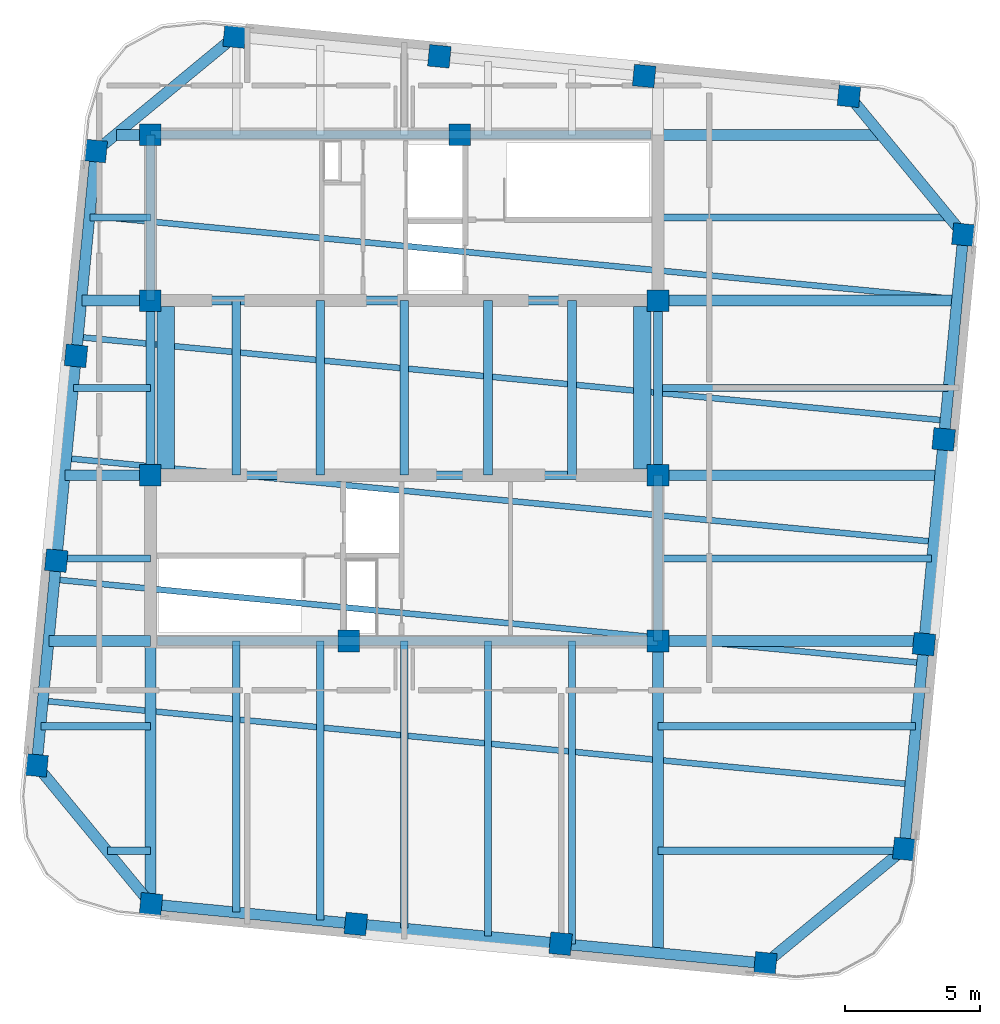
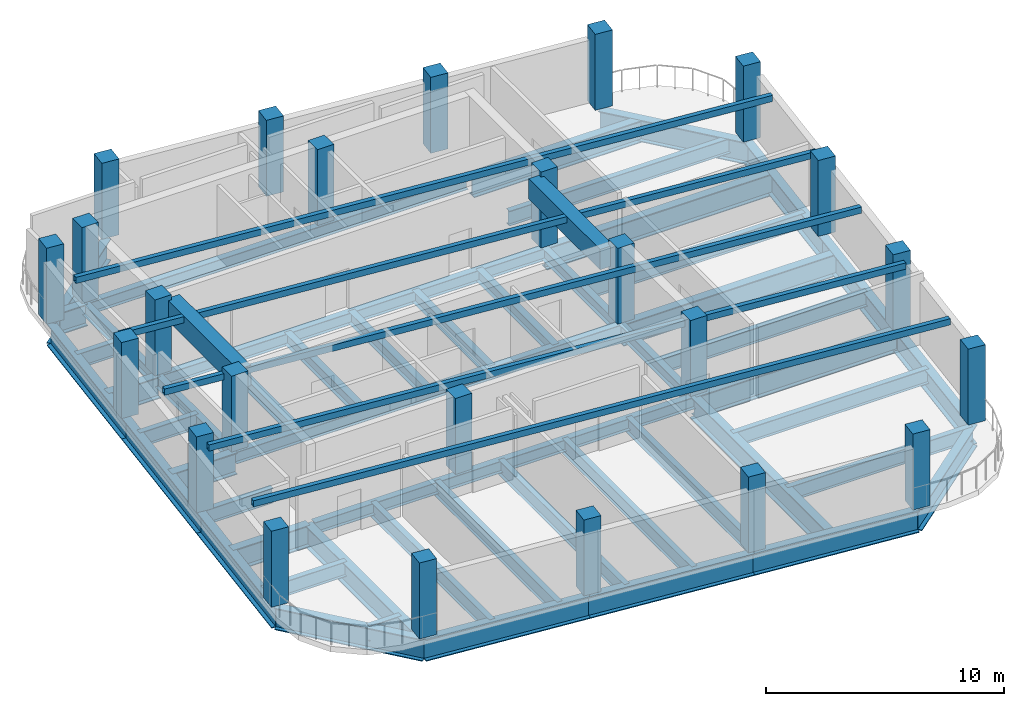
# One storey, part 1 of 5: 53 beams, 24 columns, 5 members.
"""IFC4 building model written with IfcOpenShell, lengths in metres."""

from ifc_helpers import new_model, si_unit, direction, frame, origin, origin_2d, place, context, subcontext, project, spatial, rectangle, hollow_rectangle, i_section, extrude, material, material_profile, profile_set, type_object, element, save


model = new_model("IFC4")

# Units and contexts
model_context = context("Model", 3, precision=1e-05, world=origin(), true_north=direction((0.0, 1.0)))
body_context = subcontext(model_context, "Body", "Model", "MODEL_VIEW")
ifc_project = project(units=[si_unit("LENGTHUNIT", "METRE"), si_unit("AREAUNIT", "SQUARE_METRE"), si_unit("VOLUMEUNIT", "CUBIC_METRE"), si_unit("PLANEANGLEUNIT", "RADIAN"), si_unit("MASSUNIT", "GRAM", prefix="KILO")], contexts=[model_context])

# Site, building, storey
site_placement = place(None, origin())
site = spatial("IfcSite", under=ifc_project, at=site_placement, CompositionType="ELEMENT")
building_placement = place(site_placement, origin())
building = spatial("IfcBuilding", under=site, at=building_placement, Name="Qhalaya Broadcast Tower", CompositionType="ELEMENT")
storey_placement = place(building_placement, frame((0.0, 0.0, 292.85009765625)))
storey = spatial("IfcBuildingStorey", under=building, at=storey_placement, Name="L86", CompositionType="ELEMENT", Elevation=292.85009765625)

# Columns
ifc_material_1 = material(Name="Concrete C50/60", Category="concrete")
ifc_material_profile_1 = material_profile(ifc_material_1, rectangle(XDim=0.800048828125, YDim=0.800048828125, at=origin_2d()), Name="RC-COL 800x800")
ifc_profile_set_1 = profile_set([ifc_material_profile_1], Name="Concrete C50/60")
column_type = type_object("IfcColumnType", Name="RC Upper Column C10", PredefinedType="COLUMN", material=ifc_profile_set_1)
for number, where, z_axis, x_axis, name in (
    (1, (-9.3505859375, -18.47314453125, 0.0), (0.0, 0.0, 1.0), (0.995396198367, -0.09584575252, 0.0), "L86 Column COL-CR01"),
    (2, (-1.78564453125, -19.20166015625, 0.0), (0.0, 0.0, 1.0), (0.995396198367, -0.09584575252, 0.0), "L86 Column COL-CR02"),
    (3, (5.779296875, -19.93017578125, 0.0), (0.0, 0.0, 1.0), (0.995396198367, -0.09584575252, 0.0), "L86 Column COL-CR03"),
    (4, (13.344482421875, -20.658447265625, 0.0), (0.0, 0.0, 1.0), (0.995396198367, -0.09584575252, 0.0), "L86 Column COL-CR04"),
    (5, (18.47314453125, -16.4306640625, 0.0), (0.0, 0.0, 1.0), (0.09584575252, 0.995396198367, 0.0), "L86 Column COL-CR05"),
    (6, (19.20166015625, -8.865478515625, 0.0), (0.0, 0.0, 1.0), (0.09584575252, 0.995396198367, 0.0), "L86 Column COL-CR06"),
    (7, (19.93017578125, -1.300537109375, 0.0), (0.0, 0.0, 1.0), (0.09584575252, 0.995396198367, 0.0), "L86 Column COL-CR07"),
    (8, (20.658447265625, 6.264404296875, 0.0), (0.0, 0.0, 1.0), (0.09584575252, 0.995396198367, 0.0), "L86 Column COL-CR08"),
    (9, (16.4306640625, 11.393310546875, 0.0), (0.0, 0.0, 1.0), (0.995396198367, -0.09584575252, 0.0), "L86 Column COL-CR09"),
    (10, (8.865478515625, 12.12158203125, 0.0), (0.0, 0.0, 1.0), (0.995396198367, -0.09584575252, 0.0), "L86 Column COL-CR10"),
    (11, (1.300537109375, 12.85009765625, 0.0), (0.0, 0.0, 1.0), (0.995396198367, -0.09584575252, 0.0), "L86 Column COL-CR11"),
    (12, (-6.264404296875, 13.57861328125, 0.0), (0.0, 0.0, 1.0), (0.995396198367, -0.09584575252, 0.0), "L86 Column COL-CR12"),
    (13, (-11.393310546875, 9.3505859375, 0.0), (0.0, 0.0, 1.0), (0.09584575252, 0.995396198367, 0.0), "L86 Column COL-CR13"),
    (14, (-12.12158203125, 1.78564453125, 0.0), (0.0, 0.0, 1.0), (0.09584575252, 0.995396198367, 0.0), "L86 Column COL-CR14"),
    (15, (-12.85009765625, -5.779296875, 0.0), (0.0, 0.0, 1.0), (0.09584575252, 0.995396198367, 0.0), "L86 Column COL-CR15"),
    (16, (-13.57861328125, -13.344482421875, 0.0), (0.0, 0.0, 1.0), (0.09584575252, 0.995396198367, 0.0), "L86 Column COL-CR16"),
    (17, (-9.375, 9.949951171875, 0.0), (0.0, 0.0, 1.0), (1.0, 0.0, 0.0), "L86 Column COL-CC1"),
    (18, (2.050048828125, 9.949951171875, 0.0), (0.0, 0.0, 1.0), (1.0, 0.0, 0.0), "L86 Column COL-CC2"),
    (19, (-9.375, 3.824951171875, 0.0), (0.0, 0.0, 1.0), (1.0, 0.0, 0.0), "L86 Column COL-CC3"),
    (20, (9.375, 3.824951171875, 0.0), (0.0, 0.0, 1.0), (1.0, 0.0, 0.0), "L86 Column COL-CC4"),
    (21, (-9.375, -2.625, 0.0), (0.0, 0.0, 1.0), (1.0, 0.0, 0.0), "L86 Column COL-CC5"),
    (22, (9.375, -2.625, 0.0), (0.0, 0.0, 1.0), (1.0, 0.0, 0.0), "L86 Column COL-CC6"),
    (23, (-2.050048828125, -8.75, 0.0), (0.0, 0.0, 1.0), (1.0, 0.0, 0.0), "L86 Column COL-CC7"),
    (24, (9.375, -8.75, 0.0), (0.0, 0.0, 1.0), (1.0, 0.0, 0.0), "L86 Column COL-CC8"),
):
    element("IfcColumn", number, at=place(storey_placement, frame(where, z_axis=z_axis, x_axis=x_axis)), inside=storey, type_object=column_type, Name=name, PredefinedType="COLUMN", context=body_context, shape_type="SweptSolid", body=[
        extrude(rectangle(XDim=0.800048828125, YDim=0.800048828125, at=origin_2d()), origin(), (0.0, 0.0, 1.0), 3.89990234375),
    ])

# Members
ifc_material_2 = material(Name="Structural Steel ASTM A572 Grade 50", Category="steel")
ifc_material_profile_2 = material_profile(ifc_material_2, hollow_rectangle(XDim=0.219970703125, YDim=0.320068359375, WallThickness=0.01611328125, at=origin_2d()), Name="HSS 220x320x16")
ifc_profile_set_2 = profile_set([ifc_material_profile_2], Name="Structural Steel ASTM A572 Grade 50")
member_type = type_object("IfcMemberType", Name="Concourse & Lookout Canopy Purlin PR1", PredefinedType="PURLIN", material=ifc_profile_set_2)
for number, where, z_axis, x_axis, name in (
    (25, (-13.348388671875, -10.955322265625, 3.474853515625), (0.995395627913, -0.095851676732, 0.0), (0.095851676732, 0.995395627913, 0.0), "Crown Canopy Roof Purlin PR-01"),
    (26, (-12.917236328125, -6.476318359375, 3.474853515625), (0.995396351286, -0.095844164381, 0.0), (0.095844164381, 0.995396351286, 0.0), "Crown Canopy Roof Purlin PR-02"),
    (27, (-12.48583984375, -1.996826171875, 3.474853515625), (0.995396351286, -0.095844164381, 0.0), (0.095844164381, 0.995396351286, 0.0), "Crown Canopy Roof Purlin PR-03"),
):
    element("IfcMember", number, at=place(storey_placement, frame(where, z_axis=z_axis, x_axis=x_axis)), inside=storey, type_object=member_type, Name=name, PredefinedType="PURLIN", context=body_context, shape_type="SweptSolid", body=[
        extrude(hollow_rectangle(XDim=0.219970703125, YDim=0.320068359375, WallThickness=0.01611328125, at=origin_2d()), origin(), (0.0, 0.0, 1.0), 32.199951171875),
    ])
member_1_placement = place(storey_placement, frame((-12.0546875, 2.482421875, 3.474853515625), z_axis=(0.995396420935, -0.095843441041, 0.0), x_axis=(0.095843441041, 0.995396420935, 0.0)))
element("IfcMember", 28, at=member_1_placement, inside=storey, type_object=member_type, Name="Crown Canopy Roof Purlin PR-04", PredefinedType="PURLIN", context=body_context, shape_type="SweptSolid", body=[
    extrude(hollow_rectangle(XDim=0.219970703125, YDim=0.320068359375, WallThickness=0.01611328125, at=origin_2d()), origin(), (0.0, 0.0, 1.0), 32.2001953125),
])
member_2_placement = place(storey_placement, frame((-11.623291015625, 6.961669921875, 3.474853515625), z_axis=(0.995396351286, -0.095844164381, 0.0), x_axis=(0.095844164381, 0.995396351286, 0.0)))
element("IfcMember", 29, at=member_2_placement, inside=storey, type_object=member_type, Name="Crown Canopy Roof Purlin PR-05", PredefinedType="PURLIN", context=body_context, shape_type="SweptSolid", body=[
    extrude(hollow_rectangle(XDim=0.219970703125, YDim=0.320068359375, WallThickness=0.01611328125, at=origin_2d()), origin(), (0.0, 0.0, 1.0), 32.199951171875),
])

# Beams
ifc_material_3 = material(Name="Structural Steel ASTM A992 Grade 50", Category="steel")
ifc_material_profile_3 = material_profile(ifc_material_3, i_section(OverallWidth=0.323974609375, OverallDepth=0.612060546875, WebThickness=0.0126953125, FlangeThickness=0.01904296875, at=origin_2d()), Name="W24X104")
ifc_profile_set_3 = profile_set([ifc_material_profile_3], Name="Structural Steel ASTM A992 Grade 50")
beam_type_1 = type_object("IfcBeamType", Name="Core Frame Tie Beam B04", PredefinedType="BEAM", material=ifc_profile_set_3)
beam_1_placement = place(storey_placement, frame((-9.375, 3.824951171875, -0.586181640625), z_axis=(1.0, 0.0, 0.0), x_axis=(0.0, 1.0, 0.0)))
element("IfcBeam", 30, at=beam_1_placement, inside=storey, type_object=beam_type_1, Name="L86 B04 L86-CCN1", PredefinedType="BEAM", context=body_context, shape_type="SweptSolid", body=[
    extrude(i_section(OverallWidth=0.323974609375, OverallDepth=0.612060546875, WebThickness=0.0126953125, FlangeThickness=0.01904296875, at=origin_2d()), origin(), (0.0, 0.0, 1.0), 18.75),
])
beam_2_placement = place(storey_placement, frame((-9.375, 3.824951171875, -0.586181640625), z_axis=(0.0, 1.0, 0.0), x_axis=(-1.0, 0.0, 0.0)))
element("IfcBeam", 31, at=beam_2_placement, inside=storey, type_object=beam_type_1, Name="L86 B04 L86-CCN2", PredefinedType="BEAM", context=body_context, shape_type="SweptSolid", body=[
    extrude(i_section(OverallWidth=0.323974609375, OverallDepth=0.612060546875, WebThickness=0.0126953125, FlangeThickness=0.01904296875, at=origin_2d()), origin(), (0.0, 0.0, 1.0), 6.125),
])
beam_3_placement = place(storey_placement, frame((-9.375, 9.949951171875, -0.586181640625), z_axis=(1.0, 0.0, 0.0), x_axis=(0.0, 1.0, 0.0)))
element("IfcBeam", 32, at=beam_3_placement, inside=storey, type_object=beam_type_1, Name="L86 B04 L86-CCN3", PredefinedType="BEAM", context=body_context, shape_type="SweptSolid", body=[
    extrude(i_section(OverallWidth=0.323974609375, OverallDepth=0.612060546875, WebThickness=0.0126953125, FlangeThickness=0.01904296875, at=origin_2d()), origin(), (0.0, 0.0, 1.0), 18.4951171875),
])
beam_4_placement = place(storey_placement, frame((-9.375, -2.625, -0.586181640625), z_axis=(1.0, 0.0, 0.0), x_axis=(0.0, 1.0, 0.0)))
element("IfcBeam", 33, at=beam_4_placement, inside=storey, type_object=beam_type_1, Name="L86 B04 L86-CCS1", PredefinedType="BEAM", context=body_context, shape_type="SweptSolid", body=[
    extrude(i_section(OverallWidth=0.323974609375, OverallDepth=0.612060546875, WebThickness=0.0126953125, FlangeThickness=0.01904296875, at=origin_2d()), origin(), (0.0, 0.0, 1.0), 18.75),
])
beam_5_placement = place(storey_placement, frame((9.375, -8.75, -0.586181640625), z_axis=(0.0, 1.0, 0.0), x_axis=(-1.0, 0.0, 0.0)))
element("IfcBeam", 34, at=beam_5_placement, inside=storey, type_object=beam_type_1, Name="L86 B04 L86-CCS2", PredefinedType="BEAM", context=body_context, shape_type="SweptSolid", body=[
    extrude(i_section(OverallWidth=0.323974609375, OverallDepth=0.612060546875, WebThickness=0.0126953125, FlangeThickness=0.01904296875, at=origin_2d()), origin(), (0.0, 0.0, 1.0), 6.125),
])
beam_6_placement = place(storey_placement, frame((-9.1201171875, -8.75, -0.586181640625), z_axis=(1.0, 0.0, 0.0), x_axis=(0.0, 1.0, 0.0)))
element("IfcBeam", 35, at=beam_6_placement, inside=storey, type_object=beam_type_1, Name="L86 B04 L86-CCS3", PredefinedType="BEAM", context=body_context, shape_type="SweptSolid", body=[
    extrude(i_section(OverallWidth=0.323974609375, OverallDepth=0.612060546875, WebThickness=0.0126953125, FlangeThickness=0.01904296875, at=origin_2d()), origin(), (0.0, 0.0, 1.0), 18.4951171875),
])
for number, where, z_axis, x_axis, name in (
    (36, (-9.375, -2.625, -0.586181640625), (0.0, 1.0, 0.0), (-1.0, 0.0, 0.0), "L86 B04 L86-CCW"),
    (37, (9.375, -2.625, -0.586181640625), (0.0, 1.0, 0.0), (-1.0, 0.0, 0.0), "L86 B04 L86-CCE"),
    (38, (-6.199951171875, -2.625, -0.586181640625), (0.0, 1.0, 0.0), (-1.0, 0.0, 0.0), "L86 B04 L86-JC1-1"),
    (39, (-3.10009765625, -2.625, -0.586181640625), (0.0, 1.0, 0.0), (-1.0, 0.0, 0.0), "L86 B04 L86-JC2-1"),
    (40, (0.0, -2.625, -0.586181640625), (0.0, 1.0, 0.0), (-1.0, 0.0, 0.0), "L86 B04 L86-JC3-1"),
    (41, (3.10009765625, -2.625, -0.586181640625), (0.0, 1.0, 0.0), (-1.0, 0.0, 0.0), "L86 B04 L86-JC4-1"),
    (42, (6.199951171875, -2.625, -0.586181640625), (0.0, 1.0, 0.0), (-1.0, 0.0, 0.0), "L86 B04 L86-JC5-1"),
):
    element("IfcBeam", number, at=place(storey_placement, frame(where, z_axis=z_axis, x_axis=x_axis)), inside=storey, type_object=beam_type_1, Name=name, PredefinedType="BEAM", context=body_context, shape_type="SweptSolid", body=[
        extrude(i_section(OverallWidth=0.323974609375, OverallDepth=0.612060546875, WebThickness=0.0126953125, FlangeThickness=0.01904296875, at=origin_2d()), origin(), (0.0, 0.0, 1.0), 6.449951171875),
    ])
ifc_material_profile_4 = material_profile(ifc_material_3, i_section(OverallWidth=0.26708984375, OverallDepth=0.761962890625, WebThickness=0.014404296875, FlangeThickness=0.021484375, at=origin_2d()), Name="W30X116")
ifc_profile_set_4 = profile_set([ifc_material_profile_4], Name="Structural Steel ASTM A992 Grade 50")
beam_type_2 = type_object("IfcBeamType", Name="Plant & Server Floor Beam B02", PredefinedType="BEAM", material=ifc_profile_set_4)
beam_7_placement = place(storey_placement, frame((-6.199951171875, -18.756591796875, -0.6611328125), z_axis=(0.0, 1.0, 0.0), x_axis=(-1.0, 0.0, 0.0)))
element("IfcBeam", 43, at=beam_7_placement, inside=storey, type_object=beam_type_2, Name="L86 B02 L86-JNS1-1", PredefinedType="BEAM", context=body_context, shape_type="SweptSolid", body=[
    extrude(i_section(OverallWidth=0.26708984375, OverallDepth=0.761962890625, WebThickness=0.014404296875, FlangeThickness=0.021484375, at=origin_2d()), origin(), (0.0, 0.0, 1.0), 10.006591796875),
])
beam_8_placement = place(storey_placement, frame((-3.10009765625, -19.054931640625, -0.6611328125), z_axis=(0.0, 1.0, 0.0), x_axis=(-1.0, 0.0, 0.0)))
element("IfcBeam", 44, at=beam_8_placement, inside=storey, type_object=beam_type_2, Name="L86 B02 L86-JNS2-1", PredefinedType="BEAM", context=body_context, shape_type="SweptSolid", body=[
    extrude(i_section(OverallWidth=0.26708984375, OverallDepth=0.761962890625, WebThickness=0.014404296875, FlangeThickness=0.021484375, at=origin_2d()), origin(), (0.0, 0.0, 1.0), 10.304931640625),
])
beam_9_placement = place(storey_placement, frame((0.0, -19.353515625, -0.6611328125), z_axis=(0.0, 1.0, 0.0), x_axis=(-1.0, 0.0, 0.0)))
element("IfcBeam", 45, at=beam_9_placement, inside=storey, type_object=beam_type_2, Name="L86 B02 L86-JNS3-1", PredefinedType="BEAM", context=body_context, shape_type="SweptSolid", body=[
    extrude(i_section(OverallWidth=0.26708984375, OverallDepth=0.761962890625, WebThickness=0.014404296875, FlangeThickness=0.021484375, at=origin_2d()), origin(), (0.0, 0.0, 1.0), 10.603515625),
])
beam_10_placement = place(storey_placement, frame((3.10009765625, -19.652099609375, -0.6611328125), z_axis=(0.0, 1.0, 0.0), x_axis=(-1.0, 0.0, 0.0)))
element("IfcBeam", 46, at=beam_10_placement, inside=storey, type_object=beam_type_2, Name="L86 B02 L86-JNS4-1", PredefinedType="BEAM", context=body_context, shape_type="SweptSolid", body=[
    extrude(i_section(OverallWidth=0.26708984375, OverallDepth=0.761962890625, WebThickness=0.014404296875, FlangeThickness=0.021484375, at=origin_2d()), origin(), (0.0, 0.0, 1.0), 10.902099609375),
])
beam_11_placement = place(storey_placement, frame((6.199951171875, -19.950439453125, -0.6611328125), z_axis=(0.0, 1.0, 0.0), x_axis=(-1.0, 0.0, 0.0)))
element("IfcBeam", 47, at=beam_11_placement, inside=storey, type_object=beam_type_2, Name="L86 B02 L86-JNS5-1", PredefinedType="BEAM", context=body_context, shape_type="SweptSolid", body=[
    extrude(i_section(OverallWidth=0.26708984375, OverallDepth=0.761962890625, WebThickness=0.014404296875, FlangeThickness=0.021484375, at=origin_2d()), origin(), (0.0, 0.0, 1.0), 11.200439453125),
])
beam_12_placement = place(storey_placement, frame((-10.951416015625, -16.5, -0.6611328125), z_axis=(1.0, 0.0, 0.0), x_axis=(0.0, 1.0, 0.0)))
element("IfcBeam", 48, at=beam_12_placement, inside=storey, type_object=beam_type_2, Name="L86 B02 L86-JWE1W-1", PredefinedType="BEAM", context=body_context, shape_type="SweptSolid", body=[
    extrude(i_section(OverallWidth=0.26708984375, OverallDepth=0.761962890625, WebThickness=0.014404296875, FlangeThickness=0.021484375, at=origin_2d()), origin(), (0.0, 0.0, 1.0), 1.576416015625),
])
beam_13_placement = place(storey_placement, frame((9.375, -16.5, -0.6611328125), z_axis=(1.0, 0.0, 0.0), x_axis=(0.0, 1.0, 0.0)))
element("IfcBeam", 49, at=beam_13_placement, inside=storey, type_object=beam_type_2, Name="L86 B02 L86-JWE1E-1", PredefinedType="BEAM", context=body_context, shape_type="SweptSolid", body=[
    extrude(i_section(OverallWidth=0.26708984375, OverallDepth=0.761962890625, WebThickness=0.014404296875, FlangeThickness=0.021484375, at=origin_2d()), origin(), (0.0, 0.0, 1.0), 8.982666015625),
])
beam_14_placement = place(storey_placement, frame((-13.419189453125, -11.89990234375, -0.6611328125), z_axis=(1.0, 0.0, 0.0), x_axis=(0.0, 1.0, 0.0)))
element("IfcBeam", 50, at=beam_14_placement, inside=storey, type_object=beam_type_2, Name="L86 B02 L86-JWE2W-1", PredefinedType="BEAM", context=body_context, shape_type="SweptSolid", body=[
    extrude(i_section(OverallWidth=0.26708984375, OverallDepth=0.761962890625, WebThickness=0.014404296875, FlangeThickness=0.021484375, at=origin_2d()), origin(), (0.0, 0.0, 1.0), 4.044189453125),
])
beam_15_placement = place(storey_placement, frame((9.375, -11.89990234375, -0.6611328125), z_axis=(1.0, 0.0, 0.0), x_axis=(0.0, 1.0, 0.0)))
element("IfcBeam", 51, at=beam_15_placement, inside=storey, type_object=beam_type_2, Name="L86 B02 L86-JWE2E-1", PredefinedType="BEAM", context=body_context, shape_type="SweptSolid", body=[
    extrude(i_section(OverallWidth=0.26708984375, OverallDepth=0.761962890625, WebThickness=0.014404296875, FlangeThickness=0.021484375, at=origin_2d()), origin(), (0.0, 0.0, 1.0), 9.514404296875),
])
beam_16_placement = place(storey_placement, frame((-12.822509765625, -5.699951171875, -0.6611328125), z_axis=(1.0, 0.0, 0.0), x_axis=(0.0, 1.0, 0.0)))
element("IfcBeam", 52, at=beam_16_placement, inside=storey, type_object=beam_type_2, Name="L86 B02 L86-JWE3W-1", PredefinedType="BEAM", context=body_context, shape_type="SweptSolid", body=[
    extrude(i_section(OverallWidth=0.26708984375, OverallDepth=0.761962890625, WebThickness=0.014404296875, FlangeThickness=0.021484375, at=origin_2d()), origin(), (0.0, 0.0, 1.0), 3.447509765625),
])
beam_17_placement = place(storey_placement, frame((9.375, -5.699951171875, -0.6611328125), z_axis=(1.0, 0.0, 0.0), x_axis=(0.0, 1.0, 0.0)))
element("IfcBeam", 53, at=beam_17_placement, inside=storey, type_object=beam_type_2, Name="L86 B02 L86-JWE3E-1", PredefinedType="BEAM", context=body_context, shape_type="SweptSolid", body=[
    extrude(i_section(OverallWidth=0.26708984375, OverallDepth=0.761962890625, WebThickness=0.014404296875, FlangeThickness=0.021484375, at=origin_2d()), origin(), (0.0, 0.0, 1.0), 10.111328125),
])
beam_18_placement = place(storey_placement, frame((-12.2158203125, 0.60009765625, -0.6611328125), z_axis=(1.0, 0.0, 0.0), x_axis=(0.0, 1.0, 0.0)))
element("IfcBeam", 54, at=beam_18_placement, inside=storey, type_object=beam_type_2, Name="L86 B02 L86-JWE4W-1", PredefinedType="BEAM", context=body_context, shape_type="SweptSolid", body=[
    extrude(i_section(OverallWidth=0.26708984375, OverallDepth=0.761962890625, WebThickness=0.014404296875, FlangeThickness=0.021484375, at=origin_2d()), origin(), (0.0, 0.0, 1.0), 2.8408203125),
])
beam_19_placement = place(storey_placement, frame((9.375, 0.60009765625, -0.6611328125), z_axis=(1.0, 0.0, 0.0), x_axis=(0.0, 1.0, 0.0)))
element("IfcBeam", 55, at=beam_19_placement, inside=storey, type_object=beam_type_2, Name="L86 B02 L86-JWE4E-1", PredefinedType="BEAM", context=body_context, shape_type="SweptSolid", body=[
    extrude(i_section(OverallWidth=0.26708984375, OverallDepth=0.761962890625, WebThickness=0.014404296875, FlangeThickness=0.021484375, at=origin_2d()), origin(), (0.0, 0.0, 1.0), 10.718017578125),
])
beam_20_placement = place(storey_placement, frame((-11.609130859375, 6.89990234375, -0.6611328125), z_axis=(1.0, 0.0, 0.0), x_axis=(0.0, 1.0, 0.0)))
element("IfcBeam", 56, at=beam_20_placement, inside=storey, type_object=beam_type_2, Name="L86 B02 L86-JWE5W-1", PredefinedType="BEAM", context=body_context, shape_type="SweptSolid", body=[
    extrude(i_section(OverallWidth=0.26708984375, OverallDepth=0.761962890625, WebThickness=0.014404296875, FlangeThickness=0.021484375, at=origin_2d()), origin(), (0.0, 0.0, 1.0), 2.234130859375),
])
beam_21_placement = place(storey_placement, frame((9.375, 6.89990234375, -0.6611328125), z_axis=(1.0, 0.0, 0.0), x_axis=(0.0, 1.0, 0.0)))
element("IfcBeam", 57, at=beam_21_placement, inside=storey, type_object=beam_type_2, Name="L86 B02 L86-JWE5E-1", PredefinedType="BEAM", context=body_context, shape_type="SweptSolid", body=[
    extrude(i_section(OverallWidth=0.26708984375, OverallDepth=0.761962890625, WebThickness=0.014404296875, FlangeThickness=0.021484375, at=origin_2d()), origin(), (0.0, 0.0, 1.0), 10.733642578125),
])
ifc_material_profile_5 = material_profile(ifc_material_3, i_section(OverallWidth=0.404052734375, OverallDepth=1.117919921875, WebThickness=0.026123046875, FlangeThickness=0.044921875, at=origin_2d()), Name="W44X335")
ifc_profile_set_5 = profile_set([ifc_material_profile_5], Name="Structural Steel ASTM A992 Grade 50")
beam_type_3 = type_object("IfcBeamType", Name="Podium Long-Span Primary Girder PG1", PredefinedType="USERDEFINED", material=ifc_profile_set_5)
for number, where, z_axis, x_axis, name in (
    (58, (-9.3505859375, -18.47314453125, -0.839111328125), (0.995395010529, -0.095858087892, 0.0), (0.095858087892, 0.995395010529, 0.0), "L86 PG1 L86-SPR-01"),
    (59, (-1.78564453125, -19.20166015625, -0.839111328125), (0.995395010529, -0.095858087892, 0.0), (0.095858087892, 0.995395010529, 0.0), "L86 PG1 L86-SPR-02"),
):
    element("IfcBeam", number, at=place(storey_placement, frame(where, z_axis=z_axis, x_axis=x_axis)), inside=storey, type_object=beam_type_3, Name=name, ObjectType="GIRDER", PredefinedType="USERDEFINED", context=body_context, shape_type="SweptSolid", body=[
        extrude(i_section(OverallWidth=0.404052734375, OverallDepth=1.117919921875, WebThickness=0.026123046875, FlangeThickness=0.044921875, at=origin_2d()), origin(), (0.0, 0.0, 1.0), 7.599853515625),
    ])
beam_22_placement = place(storey_placement, frame((5.779296875, -19.93017578125, -0.839111328125), z_axis=(0.995398370168, -0.09582319483, 0.0), x_axis=(0.09582319483, 0.995398370168, 0.0)))
element("IfcBeam", 60, at=beam_22_placement, inside=storey, type_object=beam_type_3, Name="L86 PG1 L86-SPR-03", ObjectType="GIRDER", PredefinedType="USERDEFINED", context=body_context, shape_type="SweptSolid", body=[
    extrude(i_section(OverallWidth=0.404052734375, OverallDepth=1.117919921875, WebThickness=0.026123046875, FlangeThickness=0.044921875, at=origin_2d()), origin(), (0.0, 0.0, 1.0), 7.60009765625),
])
beam_23_placement = place(storey_placement, frame((13.344482421875, -20.658447265625, -0.839111328125), z_axis=(0.771621598903, 0.63608184073, 0.0), x_axis=(-0.63608184073, 0.771621598903, 0.0)))
element("IfcBeam", 61, at=beam_23_placement, inside=storey, type_object=beam_type_3, Name="L86 PG1 L86-SPR-04", ObjectType="GIRDER", PredefinedType="USERDEFINED", context=body_context, shape_type="SweptSolid", body=[
    extrude(i_section(OverallWidth=0.404052734375, OverallDepth=1.117919921875, WebThickness=0.026123046875, FlangeThickness=0.044921875, at=origin_2d()), origin(), (0.0, 0.0, 1.0), 6.646484375),
])
beam_24_placement = place(storey_placement, frame((18.47314453125, -16.4306640625, -0.839111328125), z_axis=(0.095855022822, 0.995395305695, 0.0), x_axis=(-0.995395305695, 0.095855022822, 0.0)))
element("IfcBeam", 62, at=beam_24_placement, inside=storey, type_object=beam_type_3, Name="L86 PG1 L86-SPR-05", ObjectType="GIRDER", PredefinedType="USERDEFINED", context=body_context, shape_type="SweptSolid", body=[
    extrude(i_section(OverallWidth=0.404052734375, OverallDepth=1.117919921875, WebThickness=0.026123046875, FlangeThickness=0.044921875, at=origin_2d()), origin(), (0.0, 0.0, 1.0), 7.60009765625),
])
for number, where, z_axis, x_axis, name in (
    (63, (19.20166015625, -8.865478515625, -0.839111328125), (0.095858087892, 0.995395010529, 0.0), (-0.995395010529, 0.095858087892, 0.0), "L86 PG1 L86-SPR-06"),
    (64, (19.93017578125, -1.300537109375, -0.839111328125), (0.095826258901, 0.995398075197, 0.0), (-0.995398075197, 0.095826258901, 0.0), "L86 PG1 L86-SPR-07"),
):
    element("IfcBeam", number, at=place(storey_placement, frame(where, z_axis=z_axis, x_axis=x_axis)), inside=storey, type_object=beam_type_3, Name=name, ObjectType="GIRDER", PredefinedType="USERDEFINED", context=body_context, shape_type="SweptSolid", body=[
        extrude(i_section(OverallWidth=0.404052734375, OverallDepth=1.117919921875, WebThickness=0.026123046875, FlangeThickness=0.044921875, at=origin_2d()), origin(), (0.0, 0.0, 1.0), 7.599853515625),
    ])
beam_25_placement = place(storey_placement, frame((20.658447265625, 6.264404296875, -0.839111328125), z_axis=(-0.636063812645, 0.771636459898, 0.0), x_axis=(-0.771636459898, -0.636063812645, 0.0)))
element("IfcBeam", 65, at=beam_25_placement, inside=storey, type_object=beam_type_3, Name="L86 PG1 L86-SPR-08", ObjectType="GIRDER", PredefinedType="USERDEFINED", context=body_context, shape_type="SweptSolid", body=[
    extrude(i_section(OverallWidth=0.404052734375, OverallDepth=1.117919921875, WebThickness=0.026123046875, FlangeThickness=0.044921875, at=origin_2d()), origin(), (0.0, 0.0, 1.0), 6.646728515625),
])
beam_26_placement = place(storey_placement, frame((-6.264404296875, 13.57861328125, -0.839111328125), z_axis=(-0.771618432262, -0.636085682117, 0.0), x_axis=(0.636085682117, -0.771618432262, 0.0)))
element("IfcBeam", 66, at=beam_26_placement, inside=storey, type_object=beam_type_3, Name="L86 PG1 L86-SPR-12", ObjectType="GIRDER", PredefinedType="USERDEFINED", context=body_context, shape_type="SweptSolid", body=[
    extrude(i_section(OverallWidth=0.404052734375, OverallDepth=1.117919921875, WebThickness=0.026123046875, FlangeThickness=0.044921875, at=origin_2d()), origin(), (0.0, 0.0, 1.0), 6.64697265625),
])
for number, where, z_axis, x_axis, name in (
    (67, (-11.393310546875, 9.3505859375, -0.839111328125), (-0.095826258901, -0.995398075197, 0.0), (0.995398075197, -0.095826258901, 0.0), "L86 PG1 L86-SPR-13"),
    (68, (-12.12158203125, 1.78564453125, -0.839111328125), (-0.095858087892, -0.995395010529, 0.0), (0.995395010529, -0.095858087892, 0.0), "L86 PG1 L86-SPR-14"),
):
    element("IfcBeam", number, at=place(storey_placement, frame(where, z_axis=z_axis, x_axis=x_axis)), inside=storey, type_object=beam_type_3, Name=name, ObjectType="GIRDER", PredefinedType="USERDEFINED", context=body_context, shape_type="SweptSolid", body=[
        extrude(i_section(OverallWidth=0.404052734375, OverallDepth=1.117919921875, WebThickness=0.026123046875, FlangeThickness=0.044921875, at=origin_2d()), origin(), (0.0, 0.0, 1.0), 7.599853515625),
    ])
beam_27_placement = place(storey_placement, frame((-12.85009765625, -5.779296875, -0.839111328125), z_axis=(-0.095855022822, -0.995395305695, 0.0), x_axis=(0.995395305695, -0.095855022822, 0.0)))
element("IfcBeam", 69, at=beam_27_placement, inside=storey, type_object=beam_type_3, Name="L86 PG1 L86-SPR-15", ObjectType="GIRDER", PredefinedType="USERDEFINED", context=body_context, shape_type="SweptSolid", body=[
    extrude(i_section(OverallWidth=0.404052734375, OverallDepth=1.117919921875, WebThickness=0.026123046875, FlangeThickness=0.044921875, at=origin_2d()), origin(), (0.0, 0.0, 1.0), 7.60009765625),
])
beam_28_placement = place(storey_placement, frame((-13.57861328125, -13.344482421875, -0.839111328125), z_axis=(0.636103709979, -0.771603570593, 0.0), x_axis=(0.771603570593, 0.636103709979, 0.0)))
element("IfcBeam", 70, at=beam_28_placement, inside=storey, type_object=beam_type_3, Name="L86 PG1 L86-SPR-16", ObjectType="GIRDER", PredefinedType="USERDEFINED", context=body_context, shape_type="SweptSolid", body=[
    extrude(i_section(OverallWidth=0.404052734375, OverallDepth=1.117919921875, WebThickness=0.026123046875, FlangeThickness=0.044921875, at=origin_2d()), origin(), (0.0, 0.0, 1.0), 6.646728515625),
])
beam_29_placement = place(storey_placement, frame((-9.375, -18.412109375, -0.839111328125), z_axis=(0.0, 1.0, 0.0), x_axis=(-1.0, 0.0, 0.0)))
element("IfcBeam", 71, at=beam_29_placement, inside=storey, type_object=beam_type_3, Name="L86 PG1 L86-PGXS1-1", ObjectType="GIRDER", PredefinedType="USERDEFINED", context=body_context, shape_type="SweptSolid", body=[
    extrude(i_section(OverallWidth=0.404052734375, OverallDepth=1.117919921875, WebThickness=0.026123046875, FlangeThickness=0.044921875, at=origin_2d()), origin(), (0.0, 0.0, 1.0), 9.662109375),
])
beam_30_placement = place(storey_placement, frame((9.375, -20.256103515625, -0.839111328125), z_axis=(0.0, 1.0, 0.0), x_axis=(-1.0, 0.0, 0.0)))
element("IfcBeam", 72, at=beam_30_placement, inside=storey, type_object=beam_type_3, Name="L86 PG1 L86-PGXS2-1", ObjectType="GIRDER", PredefinedType="USERDEFINED", context=body_context, shape_type="SweptSolid", body=[
    extrude(i_section(OverallWidth=0.404052734375, OverallDepth=1.117919921875, WebThickness=0.026123046875, FlangeThickness=0.044921875, at=origin_2d()), origin(), (0.0, 0.0, 1.0), 11.506103515625),
])
beam_31_placement = place(storey_placement, frame((-13.115966796875, -8.75, -0.839111328125), z_axis=(1.0, 0.0, 0.0), x_axis=(0.0, 1.0, 0.0)))
element("IfcBeam", 73, at=beam_31_placement, inside=storey, type_object=beam_type_3, Name="L86 PG1 L86-PGYW1-1", ObjectType="GIRDER", PredefinedType="USERDEFINED", context=body_context, shape_type="SweptSolid", body=[
    extrude(i_section(OverallWidth=0.404052734375, OverallDepth=1.117919921875, WebThickness=0.026123046875, FlangeThickness=0.044921875, at=origin_2d()), origin(), (0.0, 0.0, 1.0), 3.740966796875),
])
beam_32_placement = place(storey_placement, frame((9.375, -8.75, -0.839111328125), z_axis=(1.0, 0.0, 0.0), x_axis=(0.0, 1.0, 0.0)))
element("IfcBeam", 74, at=beam_32_placement, inside=storey, type_object=beam_type_3, Name="L86 PG1 L86-PGYE1-1", ObjectType="GIRDER", PredefinedType="USERDEFINED", context=body_context, shape_type="SweptSolid", body=[
    extrude(i_section(OverallWidth=0.404052734375, OverallDepth=1.117919921875, WebThickness=0.026123046875, FlangeThickness=0.044921875, at=origin_2d()), origin(), (0.0, 0.0, 1.0), 9.817626953125),
])
beam_33_placement = place(storey_placement, frame((-12.5263671875, -2.625, -0.839111328125), z_axis=(1.0, 0.0, 0.0), x_axis=(0.0, 1.0, 0.0)))
element("IfcBeam", 75, at=beam_33_placement, inside=storey, type_object=beam_type_3, Name="L86 PG1 L86-PGYW2-1", ObjectType="GIRDER", PredefinedType="USERDEFINED", context=body_context, shape_type="SweptSolid", body=[
    extrude(i_section(OverallWidth=0.404052734375, OverallDepth=1.117919921875, WebThickness=0.026123046875, FlangeThickness=0.044921875, at=origin_2d()), origin(), (0.0, 0.0, 1.0), 3.1513671875),
])
beam_34_placement = place(storey_placement, frame((9.375, -2.625, -0.839111328125), z_axis=(1.0, 0.0, 0.0), x_axis=(0.0, 1.0, 0.0)))
element("IfcBeam", 76, at=beam_34_placement, inside=storey, type_object=beam_type_3, Name="L86 PG1 L86-PGYE2-1", ObjectType="GIRDER", PredefinedType="USERDEFINED", context=body_context, shape_type="SweptSolid", body=[
    extrude(i_section(OverallWidth=0.404052734375, OverallDepth=1.117919921875, WebThickness=0.026123046875, FlangeThickness=0.044921875, at=origin_2d()), origin(), (0.0, 0.0, 1.0), 10.407470703125),
])
beam_35_placement = place(storey_placement, frame((-11.9052734375, 3.824951171875, -0.839111328125), z_axis=(1.0, 0.0, 0.0), x_axis=(0.0, 1.0, 0.0)))
element("IfcBeam", 77, at=beam_35_placement, inside=storey, type_object=beam_type_3, Name="L86 PG1 L86-PGYW3-1", ObjectType="GIRDER", PredefinedType="USERDEFINED", context=body_context, shape_type="SweptSolid", body=[
    extrude(i_section(OverallWidth=0.404052734375, OverallDepth=1.117919921875, WebThickness=0.026123046875, FlangeThickness=0.044921875, at=origin_2d()), origin(), (0.0, 0.0, 1.0), 2.5302734375),
])
beam_36_placement = place(storey_placement, frame((9.375, 3.824951171875, -0.839111328125), z_axis=(1.0, 0.0, 0.0), x_axis=(0.0, 1.0, 0.0)))
element("IfcBeam", 78, at=beam_36_placement, inside=storey, type_object=beam_type_3, Name="L86 PG1 L86-PGYE3-1", ObjectType="GIRDER", PredefinedType="USERDEFINED", context=body_context, shape_type="SweptSolid", body=[
    extrude(i_section(OverallWidth=0.404052734375, OverallDepth=1.117919921875, WebThickness=0.026123046875, FlangeThickness=0.044921875, at=origin_2d()), origin(), (0.0, 0.0, 1.0), 11.028564453125),
])
beam_37_placement = place(storey_placement, frame((-10.634521484375, 9.949951171875, -0.839111328125), z_axis=(1.0, 0.0, 0.0), x_axis=(0.0, 1.0, 0.0)))
element("IfcBeam", 79, at=beam_37_placement, inside=storey, type_object=beam_type_3, Name="L86 PG1 L86-PGYW4-1", ObjectType="GIRDER", PredefinedType="USERDEFINED", context=body_context, shape_type="SweptSolid", body=[
    extrude(i_section(OverallWidth=0.404052734375, OverallDepth=1.117919921875, WebThickness=0.026123046875, FlangeThickness=0.044921875, at=origin_2d()), origin(), (0.0, 0.0, 1.0), 1.259521484375),
])
beam_38_placement = place(storey_placement, frame((9.375, 9.949951171875, -0.839111328125), z_axis=(1.0, 0.0, 0.0), x_axis=(0.0, 1.0, 0.0)))
element("IfcBeam", 80, at=beam_38_placement, inside=storey, type_object=beam_type_3, Name="L86 PG1 L86-PGYE4-1", ObjectType="GIRDER", PredefinedType="USERDEFINED", context=body_context, shape_type="SweptSolid", body=[
    extrude(i_section(OverallWidth=0.404052734375, OverallDepth=1.117919921875, WebThickness=0.026123046875, FlangeThickness=0.044921875, at=origin_2d()), origin(), (0.0, 0.0, 1.0), 8.219482421875),
])
ifc_material_4 = material(Name="Concrete C60/75", Category="concrete")
ifc_material_profile_6 = material_profile(ifc_material_4, rectangle(XDim=0.64990234375, YDim=1.050048828125, at=origin_2d()), Name="RC-CB 650x1050")
ifc_profile_set_6 = profile_set([ifc_material_profile_6], Name="Concrete C60/75")
beam_type_4 = type_object("IfcBeamType", Name="Split-Core RC Coupling Lintel CB1", PredefinedType="LINTEL", material=ifc_profile_set_6)
for number, where, z_axis, x_axis, name in (
    (81, (-8.800048828125, -2.39990234375, 3.114990234375), (0.0, 1.0, 0.0), (-1.0, 0.0, 0.0), "L86 Core Coupling Lintel Beam W"),
    (82, (8.800048828125, -2.39990234375, 3.114990234375), (0.0, 1.0, 0.0), (-1.0, 0.0, 0.0), "L86 Core Coupling Lintel Beam E"),
):
    element("IfcBeam", number, at=place(storey_placement, frame(where, z_axis=z_axis, x_axis=x_axis)), inside=storey, type_object=beam_type_4, Name=name, PredefinedType="LINTEL", context=body_context, shape_type="SweptSolid", body=[
        extrude(rectangle(XDim=0.64990234375, YDim=1.050048828125, at=origin_2d()), origin(), (0.0, 0.0, 1.0), 6.0),
    ])

save(model, "model.ifc")
